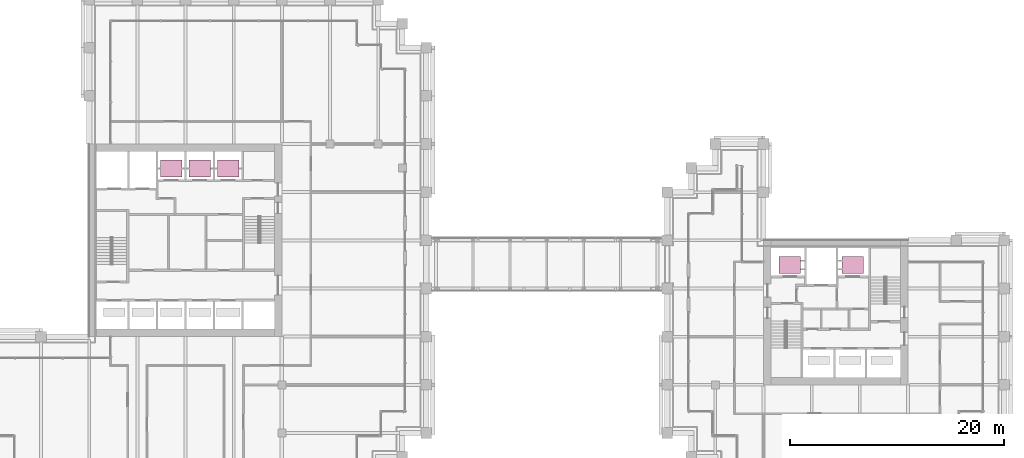
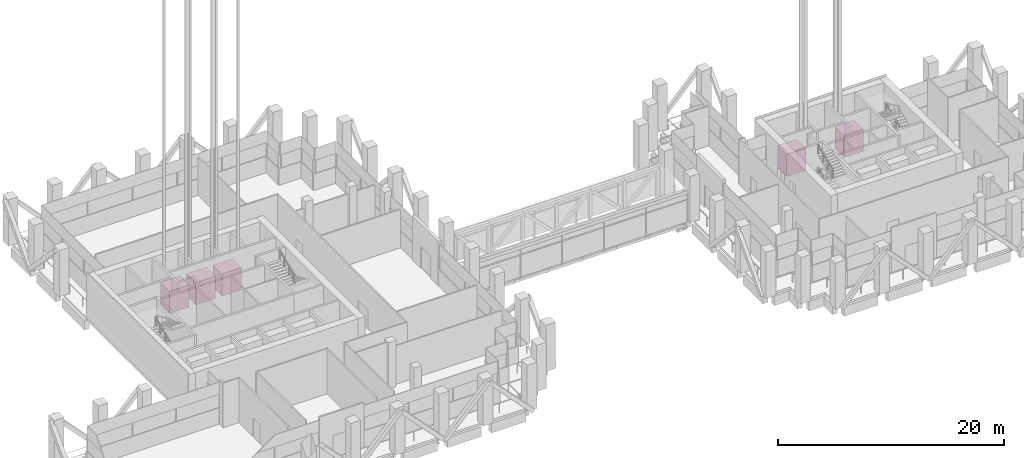
# One storey, part 48 of 48: 5 transport elements.
"""IFC4 building model written with IfcOpenShell, lengths in metres."""

from ifc_helpers import new_model, si_unit, direction, frame, origin, origin_2d, place, context, subcontext, project, spatial, rectangle, extrude, material, type_object, element, save


model = new_model("IFC4")

# Units and contexts
model_context = context("Model", 3, precision=1e-05, world=origin(), true_north=direction((0.0, 1.0)))
body_context = subcontext(model_context, "Body", "Model", "MODEL_VIEW")
ifc_project = project(units=[si_unit("LENGTHUNIT", "METRE"), si_unit("AREAUNIT", "SQUARE_METRE"), si_unit("VOLUMEUNIT", "CUBIC_METRE"), si_unit("PLANEANGLEUNIT", "RADIAN"), si_unit("MASSUNIT", "GRAM", prefix="KILO")], contexts=[model_context])

# Site, building, storey
site_placement = place(None, origin())
site = spatial("IfcSite", under=ifc_project, at=site_placement, CompositionType="ELEMENT")
building_placement = place(site_placement, origin())
building = spatial("IfcBuilding", under=site, at=building_placement, Name="Altepetl Exchange Towers", CompositionType="ELEMENT")
storey_placement = place(building_placement, frame((0.0, 0.0, 138.800048828125)))
storey = spatial("IfcBuildingStorey", under=building, at=storey_placement, Name="L34 Refuge and sky lobby", CompositionType="ELEMENT", Elevation=138.800048828125)

# Transport elements
ifc_material = material(Name="Steel", Category="steel")
transport_element_type = type_object("IfcTransportElementType", Name="High-rise lift car 2000 x 1600", PredefinedType="ELEVATOR", material=ifc_material)
for number, where, name in (
    (1, (48.166748046875, 56.199951171875, 0.0), "High-rise lift P5"),
    (2, (50.833251953125, 56.199951171875, 0.0), "High-rise lift P6"),
    (3, (53.5, 56.199951171875, 0.0), "High-rise lift P7"),
    (4, (105.966796875, 47.199951171875, 0.0), "High-rise lift P4"),
    (5, (111.833251953125, 47.199951171875, 0.0), "High-rise lift P5"),
):
    element("IfcTransportElement", number, at=place(storey_placement, frame(where)), inside=storey, type_object=transport_element_type, Name=name, PredefinedType="ELEVATOR", context=body_context, shape_type="SweptSolid", body=[
        extrude(rectangle(XDim=2.0, YDim=1.60009765625, at=origin_2d()), origin(), (0.0, 0.0, 1.0), 2.39990234375),
    ])

save(model, "model.ifc")
